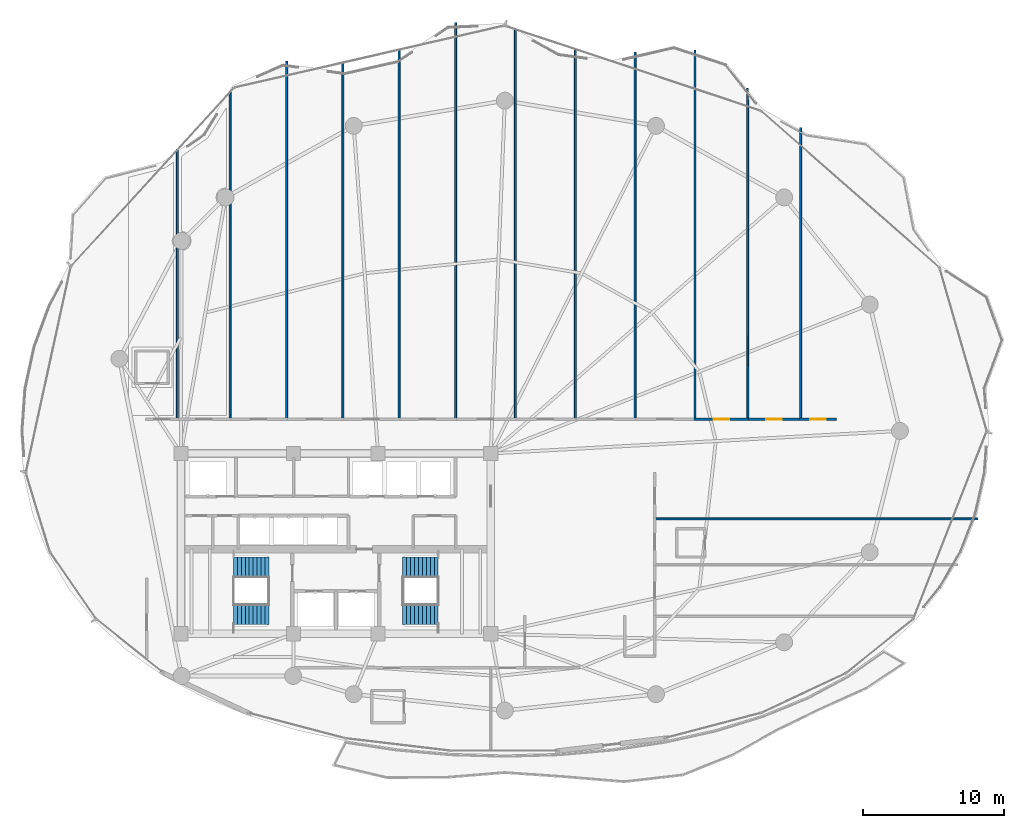
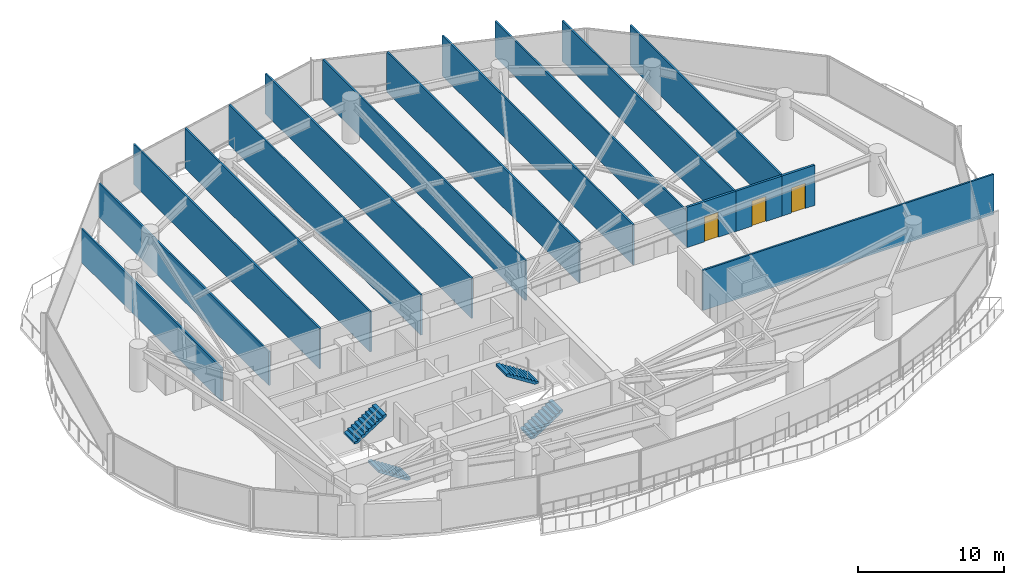
# One storey, part 28 of 34: 16 walls, 4 stair flights, 3 doors, 3 openings, 2 elements without a shape of their own.
"""IFC4 building model written with IfcOpenShell, lengths in metres."""

from ifc_helpers import new_model, si_unit, direction, frame, frame_2d, origin, place, context, subcontext, project, spatial, polyline, rectangle, outline, extrude, material, layer, layer_set, type_object, element, fill, aggregate, save


model = new_model("IFC4")

# Units and contexts
model_context = context("Model", 3, precision=1e-05, world=origin(), true_north=direction((0.0, 1.0)))
body_context = subcontext(model_context, "Body", "Model", "MODEL_VIEW")
ifc_project = project(units=[si_unit("LENGTHUNIT", "METRE"), si_unit("AREAUNIT", "SQUARE_METRE"), si_unit("VOLUMEUNIT", "CUBIC_METRE"), si_unit("PLANEANGLEUNIT", "RADIAN"), si_unit("MASSUNIT", "GRAM", prefix="KILO")], contexts=[model_context])

# Site, building, storey
site_placement = place(None, origin())
site = spatial("IfcSite", under=ifc_project, at=site_placement, CompositionType="ELEMENT")
building_placement = place(site_placement, origin())
building = spatial("IfcBuilding", under=site, at=building_placement, Name="Kazevale Care Tower and Concert Hall", CompositionType="ELEMENT")
storey_placement = place(building_placement, frame((0.0, 0.0, 167.39990234375)))
storey = spatial("IfcBuildingStorey", under=building, at=storey_placement, Name="L44", CompositionType="ELEMENT", Elevation=167.39990234375)

# Walls
ifc_material_1 = material(Name="Acoustic Gypsum on Steel Stud", Category="steel")
ifc_layer_1 = layer(ifc_material_1, 0.139892578125)
ifc_layer_set_1 = layer_set([ifc_layer_1], Name="Acoustic Gypsum on Steel Stud")
wall_type_1 = type_object("IfcWallType", Name="Acoustic Care & Suite Partition 140", PredefinedType="PARTITIONING", material=ifc_layer_set_1)
wall_1_placement = place(storey_placement, frame((21.75, 58.006103515625, 0.0), z_axis=(0.0, 0.0, 1.0), x_axis=(0.0, -1.0, 0.0)))
element("IfcWall", 1, at=wall_1_placement, inside=storey, type_object=wall_type_1, Name="wall:L44:auto_024", PredefinedType="PARTITIONING", context=body_context, shape_type="SweptSolid", body=[
    extrude(rectangle(XDim=19.211181640625, YDim=0.139892578125, at=frame_2d((9.60546875, 0.0))), origin(), (0.0, 0.0, 1.0), 2.80615234375),
])
wall_2_placement = place(storey_placement, frame((25.5, 62.048828125, 0.0), z_axis=(0.0, 0.0, 1.0), x_axis=(0.0, -1.0, 0.0)))
element("IfcWall", 2, at=wall_2_placement, inside=storey, type_object=wall_type_1, Name="wall:L44:auto_025", PredefinedType="PARTITIONING", context=body_context, shape_type="SweptSolid", body=[
    extrude(rectangle(XDim=23.25390625, YDim=0.139892578125, at=frame_2d((11.626953125, 0.0))), origin(), (0.0, 0.0, 1.0), 2.80615234375),
])
wall_3_placement = place(storey_placement, frame((29.5, 64.243896484375, 0.0), z_axis=(0.0, 0.0, 1.0), x_axis=(0.0, -1.0, 0.0)))
element("IfcWall", 3, at=wall_3_placement, inside=storey, type_object=wall_type_1, Name="wall:L44:auto_026", PredefinedType="PARTITIONING", context=body_context, shape_type="SweptSolid", body=[
    extrude(rectangle(XDim=25.448974609375, YDim=0.139892578125, at=frame_2d((12.724609375, 0.0))), origin(), (0.0, 0.0, 1.0), 3.360107421875),
])
wall_4_placement = place(storey_placement, frame((33.5, 64.1298828125, 0.0), z_axis=(0.0, 0.0, 1.0), x_axis=(0.0, -1.0, 0.0)))
element("IfcWall", 4, at=wall_4_placement, inside=storey, type_object=wall_type_1, Name="wall:L44:auto_027", PredefinedType="PARTITIONING", context=body_context, shape_type="SweptSolid", body=[
    extrude(rectangle(XDim=25.3349609375, YDim=0.139892578125, at=frame_2d((12.66748046875, 0.0))), origin(), (0.0, 0.0, 1.0), 3.360107421875),
])
wall_5_placement = place(storey_placement, frame((37.5, 65.04736328125, 0.0), z_axis=(0.0, 0.0, 1.0), x_axis=(0.0, -1.0, 0.0)))
element("IfcWall", 5, at=wall_5_placement, inside=storey, type_object=wall_type_1, Name="wall:L44:auto_028", PredefinedType="PARTITIONING", context=body_context, shape_type="SweptSolid", body=[
    extrude(rectangle(XDim=26.25244140625, YDim=0.139892578125, at=frame_2d((13.126220703125, 0.0))), origin(), (0.0, 0.0, 1.0), 3.360107421875),
])
wall_6_placement = place(storey_placement, frame((41.5, 66.992919921875, 0.0), z_axis=(0.0, 0.0, 1.0), x_axis=(0.0, -1.0, 0.0)))
element("IfcWall", 6, at=wall_6_placement, inside=storey, type_object=wall_type_1, Name="wall:L44:auto_029", PredefinedType="PARTITIONING", context=body_context, shape_type="SweptSolid", body=[
    extrude(rectangle(XDim=28.197998046875, YDim=0.139892578125, at=frame_2d((14.09912109375, 0.0))), origin(), (0.0, 0.0, 1.0), 3.360107421875),
])
wall_7_placement = place(storey_placement, frame((45.75, 66.495361328125, 0.0), z_axis=(0.0, 0.0, 1.0), x_axis=(0.0, -1.0, 0.0)))
element("IfcWall", 7, at=wall_7_placement, inside=storey, type_object=wall_type_1, Name="wall:L44:auto_030", PredefinedType="PARTITIONING", context=body_context, shape_type="SweptSolid", body=[
    extrude(rectangle(XDim=27.700439453125, YDim=0.139892578125, at=frame_2d((13.85009765625, 0.0))), origin(), (0.0, 0.0, 1.0), 3.360107421875),
])
wall_8_placement = place(storey_placement, frame((50.0, 65.08544921875, 0.0), z_axis=(0.0, 0.0, 1.0), x_axis=(0.0, -1.0, 0.0)))
element("IfcWall", 8, at=wall_8_placement, inside=storey, type_object=wall_type_1, Name="wall:L44:auto_031", PredefinedType="PARTITIONING", context=body_context, shape_type="SweptSolid", body=[
    extrude(rectangle(XDim=26.29052734375, YDim=0.139892578125, at=frame_2d((13.145263671875, 0.0))), origin(), (0.0, 0.0, 1.0), 3.360107421875),
])
wall_9_placement = place(storey_placement, frame((54.25, 64.885986328125, 0.0), z_axis=(0.0, 0.0, 1.0), x_axis=(0.0, -1.0, 0.0)))
element("IfcWall", 9, at=wall_9_placement, inside=storey, type_object=wall_type_1, Name="wall:L44:auto_032", PredefinedType="PARTITIONING", context=body_context, shape_type="SweptSolid", body=[
    extrude(rectangle(XDim=26.091064453125, YDim=0.139892578125, at=frame_2d((13.04541015625, 0.0))), origin(), (0.0, 0.0, 1.0), 3.360107421875),
])
wall_10_placement = place(storey_placement, frame((58.5, 65.02294921875, 0.0), z_axis=(0.0, 0.0, 1.0), x_axis=(0.0, -1.0, 0.0)))
element("IfcWall", 10, at=wall_10_placement, inside=storey, type_object=wall_type_1, Name="wall:L44:auto_033", PredefinedType="PARTITIONING", context=body_context, shape_type="SweptSolid", body=[
    extrude(rectangle(XDim=26.22802734375, YDim=0.139892578125, at=frame_2d((13.114013671875, 0.0))), origin(), (0.0, 0.0, 1.0), 2.99609375),
])
wall_11_placement = place(storey_placement, frame((62.22802734375, 62.31689453125, 0.0), z_axis=(0.0, 0.0, 1.0), x_axis=(0.000934132821, -0.999999563698, 0.0)))
element("IfcWall", 11, at=wall_11_placement, inside=storey, type_object=wall_type_1, Name="wall:L44:auto_034", PredefinedType="PARTITIONING", context=body_context, shape_type="SweptSolid", body=[
    extrude(rectangle(XDim=23.52197265625, YDim=0.139892578125, at=frame_2d((11.760986328125, 0.0))), origin(), (0.0, 0.0, 1.0), 3.360107421875),
])
wall_12_placement = place(storey_placement, frame((66.0, 59.532958984375, 0.0), z_axis=(0.0, 0.0, 1.0), x_axis=(0.0, -1.0, 0.0)))
element("IfcWall", 12, at=wall_12_placement, inside=storey, type_object=wall_type_1, Name="wall:L44:auto_035", PredefinedType="PARTITIONING", context=body_context, shape_type="SweptSolid", body=[
    extrude(rectangle(XDim=20.738037109375, YDim=0.139892578125, at=frame_2d((10.369140625, 0.0))), origin(), (0.0, 0.0, 1.0), 3.360107421875),
])
wall_13_placement = place(storey_placement, frame((55.6201171875, 31.75, 0.0), z_axis=(0.0, 0.0, 1.0), x_axis=(1.0, 0.0, 0.0)))
element("IfcWall", 13, at=wall_13_placement, inside=storey, type_object=wall_type_1, Name="wall:L44:auto_039", PredefinedType="PARTITIONING", context=body_context, shape_type="SweptSolid", body=[
    extrude(rectangle(XDim=22.9677734375, YDim=0.139892578125, at=frame_2d((11.48388671875, 0.0))), origin(), (0.0, 0.0, 1.0), 3.360107421875),
])

# Wall, opening, door
ifc_material_2 = material(Name="Concrete C40 and Acoustic Gypsum", Category="concrete")
ifc_layer_2 = layer(ifc_material_2, 0.179931640625)
ifc_layer_set_2 = layer_set([ifc_layer_2], Name="Concrete C40 and Acoustic Gypsum")
wall_type_2 = type_object("IfcWallType", Name="Fire-Rated Corridor & Party Wall 180", PredefinedType="PARTITIONING", material=ifc_layer_set_2)
wall_14_placement = place(storey_placement, frame((58.43505859375, 38.824951171875, 0.0), z_axis=(0.0, 0.0, 1.0), x_axis=(1.0, 0.0, 0.0)))
wall_14 = element("IfcWall", 14, at=wall_14_placement, inside=storey, type_object=wall_type_2, Name="wall:L44:auto_011", PredefinedType="PARTITIONING", context=body_context, shape_type="SweptSolid", body=[
    extrude(rectangle(XDim=3.8798828125, YDim=0.179931640625, at=frame_2d((1.93994140625, 0.0))), origin(), (0.0, 0.0, 1.0), 3.360107421875),
])
opening_1_placement = place(wall_14_placement, frame((1.389892578125, 0.0, 0.0)))
opening_1 = element("IfcOpeningElement", 15, at=opening_1_placement, cuts=wall_14, Name="Opening ID-1100", PredefinedType="OPENING", context=body_context, shape_type="SweptSolid", body=[
    extrude(rectangle(XDim=1.10009765625, YDim=2.10009765625, at=frame_2d((0.550048828125, 1.050048828125))), frame((0.0, 0.099853515625, 0.0), z_axis=(0.0, -1.0, 0.0), x_axis=(1.0, 0.0, 0.0)), (0.0, 0.0, 1.0), 0.199951171875),
])
ifc_material_3 = material(Name="Oak Timber Fire Leaf", Category="wood")
door_type = type_object("IfcDoorType", Name="Care Bedroom Accessible Door 1100x2100", OperationType="NOTDEFINED", PredefinedType="DOOR", material=ifc_material_3)
door_1_placement = place(opening_1_placement, origin())
door_1 = element("IfcDoor", 16, at=door_1_placement, inside=storey, type_object=door_type, Name="door:L44:ad_011", OperationType="SINGLE_SWING_LEFT", OverallHeight=2.10009765625, OverallWidth=1.10009765625, PredefinedType="DOOR", context=body_context, shape_type="SweptSolid", body=[
    extrude(rectangle(XDim=1.10009765625, YDim=2.10009765625, at=frame_2d((0.550048828125, 1.050048828125))), frame((0.0, 0.02490234375, 0.0), z_axis=(0.0, -1.0, 0.0), x_axis=(1.0, 0.0, 0.0)), (0.0, 0.0, 1.0), 0.050048828125),
])
fill(opening_1, door_1)

wall_15_placement = place(storey_placement, frame((62.18505859375, 38.824951171875, 0.0), z_axis=(0.0, 0.0, 1.0), x_axis=(1.0, 0.0, 0.0)))
wall_15 = element("IfcWall", 17, at=wall_15_placement, inside=storey, type_object=wall_type_2, Name="wall:L44:auto_012", PredefinedType="PARTITIONING", context=body_context, shape_type="SweptSolid", body=[
    extrude(rectangle(XDim=3.8798828125, YDim=0.179931640625, at=frame_2d((1.93994140625, 0.0))), origin(), (0.0, 0.0, 1.0), 3.360107421875),
])
opening_2_placement = place(wall_15_placement, frame((1.389892578125, 0.0, 0.0)))
opening_2 = element("IfcOpeningElement", 18, at=opening_2_placement, cuts=wall_15, Name="Opening ID-1100", PredefinedType="OPENING", context=body_context, shape_type="SweptSolid", body=[
    extrude(rectangle(XDim=1.10009765625, YDim=2.10009765625, at=frame_2d((0.550048828125, 1.050048828125))), frame((0.0, 0.099853515625, 0.0), z_axis=(0.0, -1.0, 0.0), x_axis=(1.0, 0.0, 0.0)), (0.0, 0.0, 1.0), 0.199951171875),
])
door_2_placement = place(opening_2_placement, origin())
door_2 = element("IfcDoor", 19, at=door_2_placement, inside=storey, type_object=door_type, Name="door:L44:ad_012", OperationType="SINGLE_SWING_LEFT", OverallHeight=2.10009765625, OverallWidth=1.10009765625, PredefinedType="DOOR", context=body_context, shape_type="SweptSolid", body=[
    extrude(rectangle(XDim=1.10009765625, YDim=2.10009765625, at=frame_2d((0.550048828125, 1.050048828125))), frame((0.0, 0.02490234375, 0.0), z_axis=(0.0, -1.0, 0.0), x_axis=(1.0, 0.0, 0.0)), (0.0, 0.0, 1.0), 0.050048828125),
])
fill(opening_2, door_2)

wall_16_placement = place(storey_placement, frame((65.93505859375, 38.824951171875, 0.0), z_axis=(0.0, 0.0, 1.0), x_axis=(1.0, 0.0, 0.0)))
wall_16 = element("IfcWall", 20, at=wall_16_placement, inside=storey, type_object=wall_type_2, Name="wall:L44:auto_013", PredefinedType="PARTITIONING", context=body_context, shape_type="SweptSolid", body=[
    extrude(rectangle(XDim=2.594970703125, YDim=0.179931640625, at=frame_2d((1.29736328125, 0.0))), origin(), (0.0, 0.0, 1.0), 3.360107421875),
])
opening_3_placement = place(wall_16_placement, frame((0.748046875, 0.0, 0.0)))
opening_3 = element("IfcOpeningElement", 21, at=opening_3_placement, cuts=wall_16, Name="Opening ID-1100", PredefinedType="OPENING", context=body_context, shape_type="SweptSolid", body=[
    extrude(rectangle(XDim=1.10009765625, YDim=2.10009765625, at=frame_2d((0.550048828125, 1.050048828125))), frame((0.0, 0.099853515625, 0.0), z_axis=(0.0, -1.0, 0.0), x_axis=(1.0, 0.0, 0.0)), (0.0, 0.0, 1.0), 0.199951171875),
])
door_3_placement = place(opening_3_placement, origin())
door_3 = element("IfcDoor", 22, at=door_3_placement, inside=storey, type_object=door_type, Name="door:L44:ad_013", OperationType="SINGLE_SWING_LEFT", OverallHeight=2.10009765625, OverallWidth=1.10009765625, PredefinedType="DOOR", context=body_context, shape_type="SweptSolid", body=[
    extrude(rectangle(XDim=1.10009765625, YDim=2.10009765625, at=frame_2d((0.550048828125, 1.050048828125))), frame((0.0, 0.02490234375, 0.0), z_axis=(0.0, -1.0, 0.0), x_axis=(1.0, 0.0, 0.0)), (0.0, 0.0, 1.0), 0.050048828125),
])
fill(opening_3, door_3)

# Stair, stair flights
ifc_material_4 = material(Name="Concrete C40", Category="concrete")
stair_type = type_object("IfcStairType", Name="Exit Stair Assembly ST1-Z2", PredefinedType="HALF_TURN_STAIR", material=ifc_material_4)
stair_1_placement = place(storey_placement, origin())
stair_1 = element("IfcStair", 23, at=stair_1_placement, inside=storey, type_object=stair_type, Name="stair:L44:ST1", PredefinedType="HALF_TURN_STAIR")
ifc_layer_3 = layer(ifc_material_4, 0.159912109375)
ifc_layer_set_3 = layer_set([ifc_layer_3], Name="Concrete C40")
stair_flight_type = type_object("IfcStairFlightType", Name="Exit Stair Flight ST1-Z2", PredefinedType="STRAIGHT", material=ifc_layer_set_3)
stair_flight_1_placement = place(storey_placement, frame((28.25, 24.97998046875, 0.0), z_axis=(0.0, 0.0, 1.0), x_axis=(-1.0, 0.0, 0.0)))
stair_flight_1 = element("IfcStairFlight", 24, at=stair_flight_1_placement, type_object=stair_flight_type, Name="ST1-Z2 flight 1", NumberOfRisers=10, NumberOfTreads=9, PredefinedType="STRAIGHT", RiserHeight=0.18, TreadLength=0.28, context=body_context, shape_type="SweptSolid", body=[
    extrude(outline(polyline([(0.0, 0.0), (0.0, 0.179931640625), (0.280029296875, 0.179931640625), (0.280029296875, 0.360107421875), (0.56005859375, 0.360107421875), (0.56005859375, 0.5400390625), (0.840087890625, 0.5400390625), (0.840087890625, 0.719970703125), (1.1201171875, 0.719970703125), (1.1201171875, 0.89990234375), (1.39990234375, 0.89990234375), (1.39990234375, 1.080078125), (1.679931640625, 1.080078125), (1.679931640625, 1.260009765625), (1.9599609375, 1.260009765625), (1.9599609375, 1.43994140625), (2.239990234375, 1.43994140625), (2.239990234375, 1.6201171875), (2.52001953125, 1.6201171875), (2.52001953125, 1.800048828125), (2.52001953125, 1.429931640625), (0.295654296875, 0.0), (0.0, 0.0)])), frame((0.0, 0.72998046875, 0.0), z_axis=(0.0, -1.0, 0.0), x_axis=(1.0, 0.0, 0.0)), (0.0, 0.0, 1.0), 1.4599609375),
])
stair_flight_2_placement = place(storey_placement, frame((25.72998046875, 28.320068359375, 1.800048828125), z_axis=(0.0, 0.0, 1.0), x_axis=(1.0, 0.0, 0.0)))
stair_flight_2 = element("IfcStairFlight", 25, at=stair_flight_2_placement, type_object=stair_flight_type, Name="ST1-Z2 flight 2", NumberOfRisers=10, NumberOfTreads=9, PredefinedType="STRAIGHT", RiserHeight=0.18, TreadLength=0.28, context=body_context, shape_type="SweptSolid", body=[
    extrude(outline(polyline([(0.0, 0.0), (0.0, 0.179931640625), (0.280029296875, 0.179931640625), (0.280029296875, 0.360107421875), (0.56005859375, 0.360107421875), (0.56005859375, 0.5400390625), (0.840087890625, 0.5400390625), (0.840087890625, 0.719970703125), (1.1201171875, 0.719970703125), (1.1201171875, 0.89990234375), (1.39990234375, 0.89990234375), (1.39990234375, 1.080078125), (1.679931640625, 1.080078125), (1.679931640625, 1.260009765625), (1.9599609375, 1.260009765625), (1.9599609375, 1.43994140625), (2.239990234375, 1.43994140625), (2.239990234375, 1.6201171875), (2.52001953125, 1.6201171875), (2.52001953125, 1.800048828125), (2.52001953125, 1.429931640625), (0.295654296875, 0.0), (0.0, 0.0)])), frame((0.0, 0.72998046875, 0.0), z_axis=(0.0, -1.0, 0.0), x_axis=(1.0, 0.0, 0.0)), (0.0, 0.0, 1.0), 1.4599609375),
])
aggregate(stair_1, [stair_flight_1, stair_flight_2])

stair_2_placement = place(storey_placement, origin())
stair_2 = element("IfcStair", 26, at=stair_2_placement, inside=storey, type_object=stair_type, Name="stair:L44:ST2", PredefinedType="HALF_TURN_STAIR")
stair_flight_3_placement = place(storey_placement, frame((37.75, 24.97998046875, 0.0), z_axis=(0.0, 0.0, 1.0), x_axis=(1.0, 0.0, 0.0)))
stair_flight_3 = element("IfcStairFlight", 27, at=stair_flight_3_placement, type_object=stair_flight_type, Name="ST1-Z2 flight 1", NumberOfRisers=10, NumberOfTreads=9, PredefinedType="STRAIGHT", RiserHeight=0.18, TreadLength=0.28, context=body_context, shape_type="SweptSolid", body=[
    extrude(outline(polyline([(0.0, 0.0), (0.0, 0.179931640625), (0.280029296875, 0.179931640625), (0.280029296875, 0.360107421875), (0.56005859375, 0.360107421875), (0.56005859375, 0.5400390625), (0.840087890625, 0.5400390625), (0.840087890625, 0.719970703125), (1.1201171875, 0.719970703125), (1.1201171875, 0.89990234375), (1.39990234375, 0.89990234375), (1.39990234375, 1.080078125), (1.679931640625, 1.080078125), (1.679931640625, 1.260009765625), (1.9599609375, 1.260009765625), (1.9599609375, 1.43994140625), (2.239990234375, 1.43994140625), (2.239990234375, 1.6201171875), (2.52001953125, 1.6201171875), (2.52001953125, 1.800048828125), (2.52001953125, 1.429931640625), (0.295654296875, 0.0), (0.0, 0.0)])), frame((0.0, 0.72998046875, 0.0), z_axis=(0.0, -1.0, 0.0), x_axis=(1.0, 0.0, 0.0)), (0.0, 0.0, 1.0), 1.4599609375),
])
stair_flight_4_placement = place(storey_placement, frame((40.27001953125, 28.320068359375, 1.800048828125), z_axis=(0.0, 0.0, 1.0), x_axis=(-1.0, 0.0, 0.0)))
stair_flight_4 = element("IfcStairFlight", 28, at=stair_flight_4_placement, type_object=stair_flight_type, Name="ST1-Z2 flight 2", NumberOfRisers=10, NumberOfTreads=9, PredefinedType="STRAIGHT", RiserHeight=0.18, TreadLength=0.28, context=body_context, shape_type="SweptSolid", body=[
    extrude(outline(polyline([(0.0, 0.0), (0.0, 0.179931640625), (0.280029296875, 0.179931640625), (0.280029296875, 0.360107421875), (0.56005859375, 0.360107421875), (0.56005859375, 0.5400390625), (0.840087890625, 0.5400390625), (0.840087890625, 0.719970703125), (1.1201171875, 0.719970703125), (1.1201171875, 0.89990234375), (1.39990234375, 0.89990234375), (1.39990234375, 1.080078125), (1.679931640625, 1.080078125), (1.679931640625, 1.260009765625), (1.9599609375, 1.260009765625), (1.9599609375, 1.43994140625), (2.239990234375, 1.43994140625), (2.239990234375, 1.6201171875), (2.52001953125, 1.6201171875), (2.52001953125, 1.800048828125), (2.52001953125, 1.429931640625), (0.295654296875, 0.0), (0.0, 0.0)])), frame((0.0, 0.72998046875, 0.0), z_axis=(0.0, -1.0, 0.0), x_axis=(1.0, 0.0, 0.0)), (0.0, 0.0, 1.0), 1.4599609375),
])
aggregate(stair_2, [stair_flight_3, stair_flight_4])

save(model, "model.ifc")
